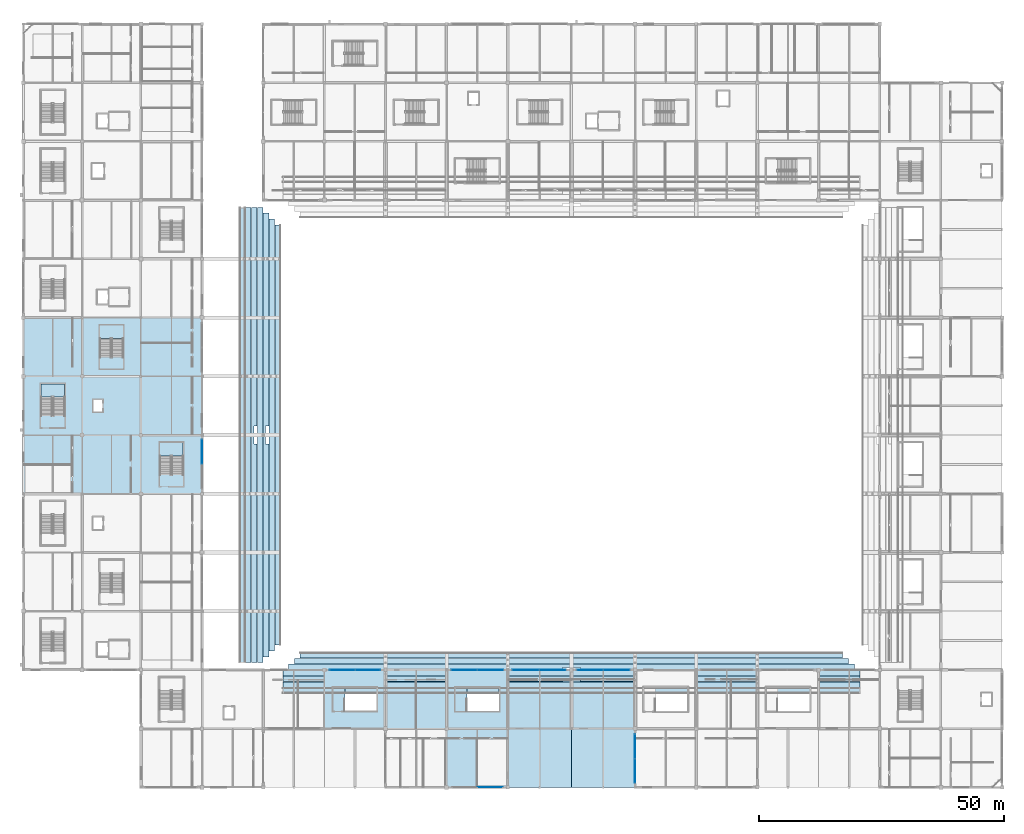
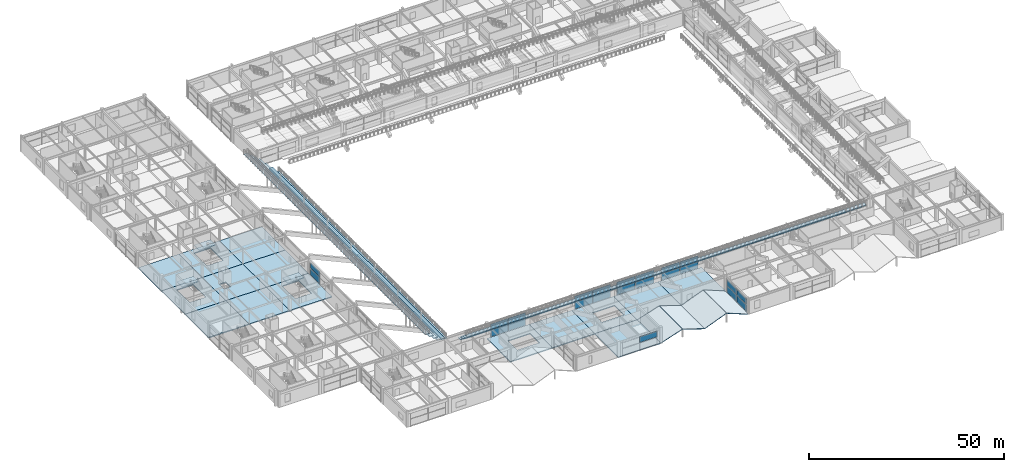
# One storey, part 70 of 128: 36 slabs, 23 plates, 10 elements without a shape of their own.
"""IFC4 building model written with IfcOpenShell, lengths in metres."""

from ifc_helpers import new_model, si_unit, direction, frame, origin, origin_2d, place, context, subcontext, project, spatial, polyline, rectangle, outline, extrude, material, layer, layer_set, type_object, element, aggregate, save


model = new_model("IFC4")

# Units and contexts
model_context = context("Model", 3, precision=1e-05, world=origin(), true_north=direction((0.0, 1.0)))
body_context = subcontext(model_context, "Body", "Model", "MODEL_VIEW")
ifc_project = project(units=[si_unit("LENGTHUNIT", "METRE"), si_unit("AREAUNIT", "SQUARE_METRE"), si_unit("VOLUMEUNIT", "CUBIC_METRE"), si_unit("PLANEANGLEUNIT", "RADIAN"), si_unit("MASSUNIT", "GRAM", prefix="KILO")], contexts=[model_context])

# Site, building, storey
site_placement = place(None, origin())
site = spatial("IfcSite", under=ifc_project, at=site_placement, CompositionType="ELEMENT")
building_placement = place(site_placement, origin())
building = spatial("IfcBuilding", under=site, at=building_placement, Name="Kazenohara Klinker Stadium", CompositionType="ELEMENT")
storey_placement = place(building_placement, frame((0.0, 0.0, 15.300048828125)))
storey = spatial("IfcBuildingStorey", under=building, at=storey_placement, Name="L03", CompositionType="ELEMENT", Elevation=15.300048828125)

# Curtain wall, plates
ifc_material_1 = material(Name="Anodised aluminium and triple glazing", Category="aluminium")
ifc_layer_1 = layer(ifc_material_1, 0.179931640625)
ifc_layer_set_1 = layer_set([ifc_layer_1], Name="Anodised aluminium and triple glazing")
curtain_wall_type_1 = type_object("IfcCurtainWallType", Name="CW-SYS-02", PredefinedType="USERDEFINED", material=ifc_layer_set_1)
curtain_wall_1_placement = place(storey_placement, origin())
curtain_wall_1 = element("IfcCurtainWall", 1, at=curtain_wall_1_placement, inside=storey, type_object=curtain_wall_type_1, Name="Unitised facade curtain wall CW02 L03 Y3-6", ObjectType="UNITISED CURTAIN WALL", PredefinedType="USERDEFINED")
ifc_material_2 = material(Name="Low-e laminated triple glazing", Category="glass")
ifc_layer_2 = layer(ifc_material_2, 0.0439453125)
ifc_layer_set_2 = layer_set([ifc_layer_2], Name="Low-e laminated triple glazing")
plate_type = type_object("IfcPlateType", Name="CW-PNL-44", PredefinedType="CURTAIN_PANEL", material=ifc_layer_set_2)
plate_1_placement = place(storey_placement, frame((36.5, 80.591796875, 0.074951171875), z_axis=(0.0, 0.0, 1.0), x_axis=(0.0, 1.0, 0.0)))
plate_1 = element("IfcPlate", 2, at=plate_1_placement, type_object=plate_type, Name="CW02 panel 2.1", PredefinedType="CURTAIN_PANEL", context=body_context, shape_type="SweptSolid", body=[
    extrude(rectangle(XDim=4.95849609375, YDim=0.0439453125, at=origin_2d()), origin(), (0.0, 0.0, 1.0), 2.12060546875),
])
plate_2_placement = place(storey_placement, frame((36.5, 80.591796875, 2.2705078125), z_axis=(0.0, 0.0, 1.0), x_axis=(0.0, 1.0, 0.0)))
plate_2 = element("IfcPlate", 3, at=plate_2_placement, type_object=plate_type, Name="CW02 panel 2.2", PredefinedType="CURTAIN_PANEL", context=body_context, shape_type="SweptSolid", body=[
    extrude(rectangle(XDim=4.95849609375, YDim=0.0439453125, at=origin_2d()), origin(), (0.0, 0.0, 1.0), 1.714599609375),
])
aggregate(curtain_wall_1, [plate_1, plate_2])

curtain_wall_2_placement = place(storey_placement, origin())
curtain_wall_2 = element("IfcCurtainWall", 4, at=curtain_wall_2_placement, inside=storey, type_object=curtain_wall_type_1, Name="Unitised facade curtain wall CW02 L03 X5-3", ObjectType="UNITISED CURTAIN WALL", PredefinedType="USERDEFINED")
plate_3_placement = place(storey_placement, frame((65.183349609375, 36.0, 0.074951171875), z_axis=(0.0, 0.0, 1.0), x_axis=(1.0, 0.0, 0.0)))
plate_3 = element("IfcPlate", 5, at=plate_3_placement, type_object=plate_type, Name="CW02 panel 1.1", PredefinedType="CURTAIN_PANEL", context=body_context, shape_type="SweptSolid", body=[
    extrude(rectangle(XDim=5.1083984375, YDim=0.0439453125, at=origin_2d()), origin(), (0.0, 0.0, 1.0), 2.18212890625),
])
plate_4_placement = place(storey_placement, frame((65.183349609375, 36.0, 2.33203125), z_axis=(0.0, 0.0, 1.0), x_axis=(1.0, 0.0, 0.0)))
plate_4 = element("IfcPlate", 6, at=plate_4_placement, type_object=plate_type, Name="CW02 panel 1.2", PredefinedType="CURTAIN_PANEL", context=body_context, shape_type="SweptSolid", body=[
    extrude(rectangle(XDim=5.1083984375, YDim=0.0439453125, at=origin_2d()), origin(), (0.0, 0.0, 1.0), 1.764892578125),
])
plate_5_placement = place(storey_placement, frame((70.36669921875, 36.0, 0.074951171875), z_axis=(0.0, 0.0, 1.0), x_axis=(1.0, 0.0, 0.0)))
plate_5 = element("IfcPlate", 7, at=plate_5_placement, type_object=plate_type, Name="CW02 panel 2.1", PredefinedType="CURTAIN_PANEL", context=body_context, shape_type="SweptSolid", body=[
    extrude(rectangle(XDim=5.1083984375, YDim=0.0439453125, at=origin_2d()), origin(), (0.0, 0.0, 1.0), 2.18212890625),
])
plate_6_placement = place(storey_placement, frame((70.36669921875, 36.0, 2.33203125), z_axis=(0.0, 0.0, 1.0), x_axis=(1.0, 0.0, 0.0)))
plate_6 = element("IfcPlate", 8, at=plate_6_placement, type_object=plate_type, Name="CW02 panel 2.2", PredefinedType="CURTAIN_PANEL", context=body_context, shape_type="SweptSolid", body=[
    extrude(rectangle(XDim=5.1083984375, YDim=0.0439453125, at=origin_2d()), origin(), (0.0, 0.0, 1.0), 1.764892578125),
])
aggregate(curtain_wall_2, [plate_3, plate_4, plate_5, plate_6])

# Curtain wall, plate
ifc_layer_3 = layer(ifc_material_1, 0.18994140625)
ifc_layer_set_3 = layer_set([ifc_layer_3], Name="Anodised aluminium and triple glazing")
curtain_wall_type_2 = type_object("IfcCurtainWallType", Name="CW-SYS-05", PredefinedType="USERDEFINED", material=ifc_layer_set_3)
curtain_wall_3_placement = place(storey_placement, origin())
curtain_wall_3 = element("IfcCurtainWall", 9, at=curtain_wall_3_placement, inside=storey, type_object=curtain_wall_type_2, Name="Unitised facade curtain wall CW05 L03 X7-1", ObjectType="UNITISED CURTAIN WALL", PredefinedType="USERDEFINED")
plate_7_placement = place(storey_placement, frame((95.36669921875, 12.0, 2.33203125), z_axis=(0.0, 0.0, 1.0), x_axis=(1.0, 0.0, 0.0)))
plate_7 = element("IfcPlate", 10, at=plate_7_placement, type_object=plate_type, Name="CW05 panel 2.2", PredefinedType="CURTAIN_PANEL", context=body_context, shape_type="SweptSolid", body=[
    extrude(rectangle(XDim=5.1083984375, YDim=0.0439453125, at=origin_2d()), origin(), (0.0, 0.0, 1.0), 1.764892578125),
])
aggregate(curtain_wall_3, [plate_7])

# Curtain wall, plates
ifc_layer_4 = layer(ifc_material_1, 0.159912109375)
ifc_layer_set_4 = layer_set([ifc_layer_4], Name="Anodised aluminium and triple glazing")
curtain_wall_type_3 = type_object("IfcCurtainWallType", Name="CW-SYS-01", PredefinedType="USERDEFINED", material=ifc_layer_set_4)
curtain_wall_4_placement = place(storey_placement, origin())
curtain_wall_4 = element("IfcCurtainWall", 11, at=curtain_wall_4_placement, inside=storey, type_object=curtain_wall_type_3, Name="Unitised facade curtain wall CW01 L03 X7-3", ObjectType="UNITISED CURTAIN WALL", PredefinedType="USERDEFINED")
plate_8_placement = place(storey_placement, frame((90.076904296875, 36.0, 0.07470703125), z_axis=(0.0, 0.0, 1.0), x_axis=(1.0, 0.0, 0.0)))
plate_8 = element("IfcPlate", 12, at=plate_8_placement, type_object=plate_type, Name="CW01 panel 1.1", PredefinedType="CURTAIN_PANEL", context=body_context, shape_type="SweptSolid", body=[
    extrude(rectangle(XDim=5.2958984375, YDim=0.0439453125, at=origin_2d()), origin(), (0.0, 0.0, 1.0), 2.175537109375),
])
plate_9_placement = place(storey_placement, frame((90.076904296875, 36.0, 2.32568359375), z_axis=(0.0, 0.0, 1.0), x_axis=(1.0, 0.0, 0.0)))
plate_9 = element("IfcPlate", 13, at=plate_9_placement, type_object=plate_type, Name="CW01 panel 1.2", PredefinedType="CURTAIN_PANEL", context=body_context, shape_type="SweptSolid", body=[
    extrude(rectangle(XDim=5.2958984375, YDim=0.0439453125, at=origin_2d()), origin(), (0.0, 0.0, 1.0), 1.759521484375),
])
plate_10_placement = place(storey_placement, frame((95.447998046875, 36.0, 0.07470703125), z_axis=(0.0, 0.0, 1.0), x_axis=(1.0, 0.0, 0.0)))
plate_10 = element("IfcPlate", 14, at=plate_10_placement, type_object=plate_type, Name="CW01 panel 2.1", PredefinedType="CURTAIN_PANEL", context=body_context, shape_type="SweptSolid", body=[
    extrude(rectangle(XDim=5.2958984375, YDim=0.0439453125, at=origin_2d()), origin(), (0.0, 0.0, 1.0), 2.175537109375),
])
plate_11_placement = place(storey_placement, frame((95.447998046875, 36.0, 2.32568359375), z_axis=(0.0, 0.0, 1.0), x_axis=(1.0, 0.0, 0.0)))
plate_11 = element("IfcPlate", 15, at=plate_11_placement, type_object=plate_type, Name="CW01 panel 2.2", PredefinedType="CURTAIN_PANEL", context=body_context, shape_type="SweptSolid", body=[
    extrude(rectangle(XDim=5.2958984375, YDim=0.0439453125, at=origin_2d()), origin(), (0.0, 0.0, 1.0), 1.759521484375),
])
aggregate(curtain_wall_4, [plate_8, plate_9, plate_10, plate_11])

ifc_layer_5 = layer(ifc_material_1, 0.199951171875)
ifc_layer_set_5 = layer_set([ifc_layer_5], Name="Anodised aluminium and triple glazing")
curtain_wall_type_4 = type_object("IfcCurtainWallType", Name="CW-SYS-03", PredefinedType="USERDEFINED", material=ifc_layer_set_5)
curtain_wall_5_placement = place(storey_placement, origin())
curtain_wall_5 = element("IfcCurtainWall", 16, at=curtain_wall_5_placement, inside=storey, type_object=curtain_wall_type_4, Name="Unitised facade curtain wall CW03 L03 X8-3", ObjectType="UNITISED CURTAIN WALL", PredefinedType="USERDEFINED")
plate_12_placement = place(storey_placement, frame((102.626953125, 36.0, 0.074951171875), z_axis=(0.0, 0.0, 1.0), x_axis=(1.0, 0.0, 0.0)))
plate_12 = element("IfcPlate", 17, at=plate_12_placement, type_object=plate_type, Name="CW03 panel 1.1", PredefinedType="CURTAIN_PANEL", context=body_context, shape_type="SweptSolid", body=[
    extrude(rectangle(XDim=5.446044921875, YDim=0.0439453125, at=origin_2d()), origin(), (0.0, 0.0, 1.0), 2.18212890625),
])
plate_13_placement = place(storey_placement, frame((102.626953125, 36.0, 2.33203125), z_axis=(0.0, 0.0, 1.0), x_axis=(1.0, 0.0, 0.0)))
plate_13 = element("IfcPlate", 18, at=plate_13_placement, type_object=plate_type, Name="CW03 panel 1.2", PredefinedType="CURTAIN_PANEL", context=body_context, shape_type="SweptSolid", body=[
    extrude(rectangle(XDim=5.446044921875, YDim=0.0439453125, at=origin_2d()), origin(), (0.0, 0.0, 1.0), 1.764892578125),
])
plate_14_placement = place(storey_placement, frame((108.14794921875, 36.0, 0.074951171875), z_axis=(0.0, 0.0, 1.0), x_axis=(1.0, 0.0, 0.0)))
plate_14 = element("IfcPlate", 19, at=plate_14_placement, type_object=plate_type, Name="CW03 panel 2.1", PredefinedType="CURTAIN_PANEL", context=body_context, shape_type="SweptSolid", body=[
    extrude(rectangle(XDim=5.446044921875, YDim=0.0439453125, at=origin_2d()), origin(), (0.0, 0.0, 1.0), 2.18212890625),
])
plate_15_placement = place(storey_placement, frame((108.14794921875, 36.0, 2.33203125), z_axis=(0.0, 0.0, 1.0), x_axis=(1.0, 0.0, 0.0)))
plate_15 = element("IfcPlate", 20, at=plate_15_placement, type_object=plate_type, Name="CW03 panel 2.2", PredefinedType="CURTAIN_PANEL", context=body_context, shape_type="SweptSolid", body=[
    extrude(rectangle(XDim=5.446044921875, YDim=0.0439453125, at=origin_2d()), origin(), (0.0, 0.0, 1.0), 1.764892578125),
])
aggregate(curtain_wall_5, [plate_12, plate_13, plate_14, plate_15])

curtain_wall_6_placement = place(storey_placement, origin())
curtain_wall_6 = element("IfcCurtainWall", 21, at=curtain_wall_6_placement, inside=storey, type_object=curtain_wall_type_2, Name="Unitised facade curtain wall CW05 L03 X9-3", ObjectType="UNITISED CURTAIN WALL", PredefinedType="USERDEFINED")
plate_16_placement = place(storey_placement, frame((115.808349609375, 36.0, 0.074951171875), z_axis=(0.0, 0.0, 1.0), x_axis=(1.0, 0.0, 0.0)))
plate_16 = element("IfcPlate", 22, at=plate_16_placement, type_object=plate_type, Name="CW05 panel 1.1", PredefinedType="CURTAIN_PANEL", context=body_context, shape_type="SweptSolid", body=[
    extrude(rectangle(XDim=5.3583984375, YDim=0.0439453125, at=origin_2d()), origin(), (0.0, 0.0, 1.0), 2.12060546875),
])
plate_17_placement = place(storey_placement, frame((115.808349609375, 36.0, 2.2705078125), z_axis=(0.0, 0.0, 1.0), x_axis=(1.0, 0.0, 0.0)))
plate_17 = element("IfcPlate", 23, at=plate_17_placement, type_object=plate_type, Name="CW05 panel 1.2", PredefinedType="CURTAIN_PANEL", context=body_context, shape_type="SweptSolid", body=[
    extrude(rectangle(XDim=5.3583984375, YDim=0.0439453125, at=origin_2d()), origin(), (0.0, 0.0, 1.0), 1.714599609375),
])
plate_18_placement = place(storey_placement, frame((121.24169921875, 36.0, 0.074951171875), z_axis=(0.0, 0.0, 1.0), x_axis=(1.0, 0.0, 0.0)))
plate_18 = element("IfcPlate", 24, at=plate_18_placement, type_object=plate_type, Name="CW05 panel 2.1", PredefinedType="CURTAIN_PANEL", context=body_context, shape_type="SweptSolid", body=[
    extrude(rectangle(XDim=5.3583984375, YDim=0.0439453125, at=origin_2d()), origin(), (0.0, 0.0, 1.0), 2.12060546875),
])
plate_19_placement = place(storey_placement, frame((121.24169921875, 36.0, 2.2705078125), z_axis=(0.0, 0.0, 1.0), x_axis=(1.0, 0.0, 0.0)))
plate_19 = element("IfcPlate", 25, at=plate_19_placement, type_object=plate_type, Name="CW05 panel 2.2", PredefinedType="CURTAIN_PANEL", context=body_context, shape_type="SweptSolid", body=[
    extrude(rectangle(XDim=5.3583984375, YDim=0.0439453125, at=origin_2d()), origin(), (0.0, 0.0, 1.0), 1.714599609375),
])
aggregate(curtain_wall_6, [plate_16, plate_17, plate_18, plate_19])

curtain_wall_7_placement = place(storey_placement, origin())
curtain_wall_7 = element("IfcCurtainWall", 26, at=curtain_wall_7_placement, inside=storey, type_object=curtain_wall_type_3, Name="Unitised facade curtain wall CW01 L03 Y10-1", ObjectType="UNITISED CURTAIN WALL", PredefinedType="USERDEFINED")
plate_20_placement = place(storey_placement, frame((125.0, 15.376953125, 0.074951171875), z_axis=(0.0, 0.0, 1.0), x_axis=(0.0, 1.0, 0.0)))
plate_20 = element("IfcPlate", 27, at=plate_20_placement, type_object=plate_type, Name="CW01 panel 1.1", PredefinedType="CURTAIN_PANEL", context=body_context, shape_type="SweptSolid", body=[
    extrude(rectangle(XDim=4.946044921875, YDim=0.0439453125, at=origin_2d()), origin(), (0.0, 0.0, 1.0), 2.18212890625),
])
plate_21_placement = place(storey_placement, frame((125.0, 15.376953125, 2.33203125), z_axis=(0.0, 0.0, 1.0), x_axis=(0.0, 1.0, 0.0)))
plate_21 = element("IfcPlate", 28, at=plate_21_placement, type_object=plate_type, Name="CW01 panel 1.2", PredefinedType="CURTAIN_PANEL", context=body_context, shape_type="SweptSolid", body=[
    extrude(rectangle(XDim=4.946044921875, YDim=0.0439453125, at=origin_2d()), origin(), (0.0, 0.0, 1.0), 1.764892578125),
])
plate_22_placement = place(storey_placement, frame((125.0, 20.39794921875, 0.074951171875), z_axis=(0.0, 0.0, 1.0), x_axis=(0.0, 1.0, 0.0)))
plate_22 = element("IfcPlate", 29, at=plate_22_placement, type_object=plate_type, Name="CW01 panel 2.1", PredefinedType="CURTAIN_PANEL", context=body_context, shape_type="SweptSolid", body=[
    extrude(rectangle(XDim=4.946044921875, YDim=0.0439453125, at=origin_2d()), origin(), (0.0, 0.0, 1.0), 2.18212890625),
])
plate_23_placement = place(storey_placement, frame((125.0, 20.39794921875, 2.33203125), z_axis=(0.0, 0.0, 1.0), x_axis=(0.0, 1.0, 0.0)))
plate_23 = element("IfcPlate", 30, at=plate_23_placement, type_object=plate_type, Name="CW01 panel 2.2", PredefinedType="CURTAIN_PANEL", context=body_context, shape_type="SweptSolid", body=[
    extrude(rectangle(XDim=4.946044921875, YDim=0.0439453125, at=origin_2d()), origin(), (0.0, 0.0, 1.0), 1.764892578125),
])
aggregate(curtain_wall_7, [plate_20, plate_21, plate_22, plate_23])

# Slabs
ifc_material_3 = material(Name="Concrete C40/50", Category="concrete")
ifc_layer_6 = layer(ifc_material_3, 0.280029296875)
ifc_layer_set_6 = layer_set([ifc_layer_6], Name="Concrete C40/50")
slab_type_1 = type_object("IfcSlabType", Name="SLB-FLR-280", PredefinedType="FLOOR", material=ifc_layer_set_6)
slab_1_placement = place(storey_placement, frame((0.0, 0.0, -0.280029296875)))
element("IfcSlab", 31, at=slab_1_placement, inside=storey, type_object=slab_type_1, Name="Floor slab FS04 L03 1/G", PredefinedType="FLOOR", context=body_context, shape_type="SweptSolid", body=[
    extrude(outline(polyline([(0.0, 72.0), (12.0, 72.0), (12.0, 84.0), (0.0, 84.0), (0.0, 72.0)])), origin(), (0.0, 0.0, 1.0), 0.280029296875),
])
slab_2_placement = place(storey_placement, frame((0.0, 0.0, -0.280029296875)))
element("IfcSlab", 32, at=slab_2_placement, inside=storey, type_object=slab_type_1, Name="Floor slab FS04 L03 1/H", PredefinedType="FLOOR", context=body_context, shape_type="SweptSolid", body=[
    extrude(outline(polyline([(0.0, 84.0), (12.0, 84.0), (12.0, 96.0), (0.0, 96.0), (0.0, 84.0)]), holes=[polyline([(8.429931640625, 87.949951171875), (8.429931640625, 94.4599609375), (3.570068359375, 94.4599609375), (3.570068359375, 87.949951171875), (8.429931640625, 87.949951171875)])]), origin(), (0.0, 0.0, 1.0), 0.280029296875),
])
slab_3_placement = place(storey_placement, frame((0.0, 0.0, -0.280029296875)))
element("IfcSlab", 33, at=slab_3_placement, inside=storey, type_object=slab_type_1, Name="Floor slab FS04 L03 1/J", PredefinedType="FLOOR", context=body_context, shape_type="SweptSolid", body=[
    extrude(outline(polyline([(0.0, 96.0), (12.0, 96.0), (12.0, 108.0), (0.0, 108.0), (0.0, 96.0)])), origin(), (0.0, 0.0, 1.0), 0.280029296875),
])
slab_4_placement = place(storey_placement, frame((0.0, 0.0, -0.280029296875)))
element("IfcSlab", 34, at=slab_4_placement, inside=storey, type_object=slab_type_1, Name="Floor slab FS04 L03 2/G", PredefinedType="FLOOR", context=body_context, shape_type="SweptSolid", body=[
    extrude(outline(polyline([(12.0, 72.0), (24.0, 72.0), (24.0, 84.0), (12.0, 84.0), (12.0, 72.0)])), origin(), (0.0, 0.0, 1.0), 0.280029296875),
])
slab_5_placement = place(storey_placement, frame((0.0, 0.0, -0.280029296875)))
element("IfcSlab", 35, at=slab_5_placement, inside=storey, type_object=slab_type_1, Name="Floor slab FS04 L03 2/H", PredefinedType="FLOOR", context=body_context, shape_type="SweptSolid", body=[
    extrude(outline(polyline([(12.0, 84.0), (24.0, 84.0), (24.0, 96.0), (12.0, 96.0), (12.0, 84.0)]), holes=[polyline([(14.25, 88.800048828125), (16.14990234375, 88.800048828125), (16.14990234375, 91.199951171875), (14.25, 91.199951171875), (14.25, 88.800048828125)])]), origin(), (0.0, 0.0, 1.0), 0.280029296875),
])
slab_6_placement = place(storey_placement, frame((0.0, 0.0, -0.280029296875)))
element("IfcSlab", 36, at=slab_6_placement, inside=storey, type_object=slab_type_1, Name="Floor slab FS04 L03 2/J", PredefinedType="FLOOR", context=body_context, shape_type="SweptSolid", body=[
    extrude(outline(polyline([(12.0, 96.0), (24.0, 96.0), (24.0, 108.0), (12.0, 108.0), (12.0, 96.0)]), holes=[polyline([(20.409912109375, 99.929931640625), (20.409912109375, 106.4599609375), (15.590087890625, 106.4599609375), (15.590087890625, 99.929931640625), (20.409912109375, 99.929931640625)])]), origin(), (0.0, 0.0, 1.0), 0.280029296875),
])
slab_7_placement = place(storey_placement, frame((0.0, 0.0, -0.280029296875)))
element("IfcSlab", 37, at=slab_7_placement, inside=storey, type_object=slab_type_1, Name="Floor slab FS04 L03 3/G", PredefinedType="FLOOR", context=body_context, shape_type="SweptSolid", body=[
    extrude(outline(polyline([(24.0, 72.0), (36.5, 72.0), (36.5, 84.0), (24.0, 84.0), (24.0, 72.0)]), holes=[polyline([(32.64990234375, 75.919921875), (32.64990234375, 82.4599609375), (27.85009765625, 82.4599609375), (27.85009765625, 75.919921875), (32.64990234375, 75.919921875)])]), origin(), (0.0, 0.0, 1.0), 0.280029296875),
])
slab_8_placement = place(storey_placement, frame((0.0, 0.0, -0.280029296875)))
element("IfcSlab", 38, at=slab_8_placement, inside=storey, type_object=slab_type_1, Name="Floor slab FS04 L03 3/H", PredefinedType="FLOOR", context=body_context, shape_type="SweptSolid", body=[
    extrude(outline(polyline([(24.0, 84.0), (36.5, 84.0), (36.5, 96.0), (24.0, 96.0), (24.0, 84.0)])), origin(), (0.0, 0.0, 1.0), 0.280029296875),
])
slab_9_placement = place(storey_placement, frame((0.0, 0.0, -0.280029296875)))
element("IfcSlab", 39, at=slab_9_placement, inside=storey, type_object=slab_type_1, Name="Floor slab FS04 L03 3/J", PredefinedType="FLOOR", context=body_context, shape_type="SweptSolid", body=[
    extrude(outline(polyline([(24.0, 96.0), (36.5, 96.0), (36.5, 108.0), (24.0, 108.0), (24.0, 96.0)])), origin(), (0.0, 0.0, 1.0), 0.280029296875),
])
slab_10_placement = place(storey_placement, frame((0.0, 0.0, -0.280029296875)))
element("IfcSlab", 40, at=slab_10_placement, inside=storey, type_object=slab_type_1, Name="Floor slab FS04 L03 6/C", PredefinedType="FLOOR", context=body_context, shape_type="SweptSolid", body=[
    extrude(outline(polyline([(61.5, 24.0), (74.0, 24.0), (74.0, 36.0), (61.5, 36.0), (61.5, 24.0)]), holes=[polyline([(65.669921875, 27.60009765625), (72.2099609375, 27.60009765625), (72.2099609375, 32.39990234375), (65.669921875, 32.39990234375), (65.669921875, 27.60009765625)])]), origin(), (0.0, 0.0, 1.0), 0.280029296875),
])
slab_11_placement = place(storey_placement, frame((0.0, 0.0, -0.280029296875)))
element("IfcSlab", 41, at=slab_11_placement, inside=storey, type_object=slab_type_1, Name="Floor slab FS04 L03 7/C", PredefinedType="FLOOR", context=body_context, shape_type="SweptSolid", body=[
    extrude(outline(polyline([(74.0, 24.0), (86.5, 24.0), (86.5, 36.0), (74.0, 36.0), (74.0, 24.0)])), origin(), (0.0, 0.0, 1.0), 0.280029296875),
])
slab_12_placement = place(storey_placement, frame((0.0, 0.0, -0.280029296875)))
element("IfcSlab", 42, at=slab_12_placement, inside=storey, type_object=slab_type_1, Name="Floor slab FS04 L03 8/B", PredefinedType="FLOOR", context=body_context, shape_type="SweptSolid", body=[
    extrude(outline(polyline([(86.5, 12.0), (99.0, 12.0), (99.0, 24.0), (86.5, 24.0), (86.5, 12.0)])), origin(), (0.0, 0.0, 1.0), 0.280029296875),
])
slab_13_placement = place(storey_placement, frame((0.0, 0.0, -0.280029296875)))
element("IfcSlab", 43, at=slab_13_placement, inside=storey, type_object=slab_type_1, Name="Floor slab FS04 L03 8/C", PredefinedType="FLOOR", context=body_context, shape_type="SweptSolid", body=[
    extrude(outline(polyline([(86.5, 24.0), (99.0, 24.0), (99.0, 36.0), (86.5, 36.0), (86.5, 24.0)]), holes=[polyline([(90.679931640625, 27.590087890625), (97.2099609375, 27.590087890625), (97.2099609375, 32.409912109375), (90.679931640625, 32.409912109375), (90.679931640625, 27.590087890625)])]), origin(), (0.0, 0.0, 1.0), 0.280029296875),
])
slab_14_placement = place(storey_placement, frame((0.0, 0.0, -0.280029296875)))
element("IfcSlab", 44, at=slab_14_placement, inside=storey, type_object=slab_type_1, Name="Floor slab FS04 L03 9/C", PredefinedType="FLOOR", context=body_context, shape_type="SweptSolid", body=[
    extrude(outline(polyline([(99.0, 24.0), (112.0, 24.0), (112.0, 36.0), (99.0, 36.0), (99.0, 24.0)])), origin(), (0.0, 0.0, 1.0), 0.280029296875),
])
slab_15_placement = place(storey_placement, frame((0.0, 0.0, -0.280029296875)))
element("IfcSlab", 45, at=slab_15_placement, inside=storey, type_object=slab_type_1, Name="Floor slab FS04 L03 10/C", PredefinedType="FLOOR", context=body_context, shape_type="SweptSolid", body=[
    extrude(outline(polyline([(112.0, 24.0), (125.0, 24.0), (125.0, 36.0), (112.0, 36.0), (112.0, 24.0)])), origin(), (0.0, 0.0, 1.0), 0.280029296875),
])

# Stair, slab
stair_type_1 = type_object("IfcStairType", Name="STR-DL-2330", PredefinedType="HALF_TURN_STAIR", material=ifc_material_3)
stair_1_placement = place(storey_placement, origin())
stair_1 = element("IfcStair", 46, at=stair_1_placement, inside=storey, type_object=stair_type_1, Name="L03 Enclosed escape stair ST03", PredefinedType="HALF_TURN_STAIR")
ifc_layer_7 = layer(ifc_material_3, 0.199951171875)
ifc_layer_set_7 = layer_set([ifc_layer_7], Name="Concrete C40/50")
slab_type_2 = type_object("IfcSlabType", Name="SLB-LND-200", PredefinedType="LANDING", material=ifc_layer_set_7)
slab_16_placement = place(storey_placement, frame((0.0, 0.0, 2.349853515625)))
slab_16 = element("IfcSlab", 47, at=slab_16_placement, type_object=slab_type_2, Name="ST03 landing 1", PredefinedType="LANDING", context=body_context, shape_type="SweptSolid", body=[
    extrude(outline(polyline([(8.429931640625, 91.7900390625), (8.429931640625, 94.4599609375), (3.570068359375, 94.4599609375), (3.570068359375, 91.7900390625), (8.429931640625, 91.7900390625)])), origin(), (0.0, 0.0, 1.0), 0.2001953125),
])
aggregate(stair_1, [slab_16])

stair_type_2 = type_object("IfcStairType", Name="STR-DL-2310", PredefinedType="HALF_TURN_STAIR", material=ifc_material_3)
stair_2_placement = place(storey_placement, origin())
stair_2 = element("IfcStair", 48, at=stair_2_placement, inside=storey, type_object=stair_type_2, Name="L03 Enclosed escape stair ST14", PredefinedType="HALF_TURN_STAIR")
slab_17_placement = place(storey_placement, frame((0.0, 0.0, 2.349853515625)))
slab_17 = element("IfcSlab", 49, at=slab_17_placement, type_object=slab_type_2, Name="ST14 landing 1", PredefinedType="LANDING", context=body_context, shape_type="SweptSolid", body=[
    extrude(outline(polyline([(20.409912109375, 103.77001953125), (20.409912109375, 106.4599609375), (15.590087890625, 106.4599609375), (15.590087890625, 103.77001953125), (20.409912109375, 103.77001953125)])), origin(), (0.0, 0.0, 1.0), 0.2001953125),
])
aggregate(stair_2, [slab_17])

stair_type_3 = type_object("IfcStairType", Name="STR-DL-2300", PredefinedType="HALF_TURN_STAIR", material=ifc_material_3)
stair_3_placement = place(storey_placement, origin())
stair_3 = element("IfcStair", 50, at=stair_3_placement, inside=storey, type_object=stair_type_3, Name="L03 Enclosed escape stair ST17", PredefinedType="HALF_TURN_STAIR")
slab_18_placement = place(storey_placement, frame((0.0, 0.0, 2.349853515625)))
slab_18 = element("IfcSlab", 51, at=slab_18_placement, type_object=slab_type_2, Name="ST17 landing 1", PredefinedType="LANDING", context=body_context, shape_type="SweptSolid", body=[
    extrude(outline(polyline([(32.64990234375, 79.760009765625), (32.64990234375, 82.4599609375), (27.85009765625, 82.4599609375), (27.85009765625, 79.760009765625), (32.64990234375, 79.760009765625)])), origin(), (0.0, 0.0, 1.0), 0.2001953125),
])
aggregate(stair_3, [slab_18])

# Slabs
ifc_material_4 = material(Name="Steel S355", Category="steel")
ifc_layer_8 = layer(ifc_material_4, 0.169921875)
ifc_layer_set_8 = layer_set([ifc_layer_8], Name="Steel S355")
slab_type_3 = type_object("IfcSlabType", Name="SLB-ROOF-170", PredefinedType="ROOF", material=ifc_layer_set_8)
for number, where, z_axis, x_axis, name in (
    (52, (99.0, 12.0, -0.080078125), (-0.31624931125, 0.0, 0.948676116034), (0.948676116034, 0.0, 0.31624931125), "Sloped snow-shedding wing roof RS02 L03 9/B A"),
    (53, (105.550048828125, 12.0, 2.070068359375), (0.31624931125, 0.0, 0.948676116034), (0.948676116034, 0.0, -0.31624931125), "Sloped snow-shedding wing roof RS02 L03 9/B B"),
):
    element("IfcSlab", number, at=place(storey_placement, frame(where, z_axis=z_axis, x_axis=x_axis)), inside=storey, type_object=slab_type_3, Name=name, PredefinedType="ROOF", context=body_context, shape_type="SweptSolid", body=[
        extrude(outline(polyline([(0.0, 0.0), (6.798896971115378, 0.0), (6.798896971115378, 12.0), (0.0, 12.0), (0.0, 0.0)])), origin(), (0.0, 0.0, -1.0), 0.169921875),
    ])
for number, where, z_axis, x_axis, name in (
    (54, (112.0, 12.0, -0.080078125), (-0.36766738485, 0.0, 0.929957361451), (0.929957361451, 0.0, 0.36766738485), "Sloped snow-shedding wing roof RS02 L03 10/B A"),
    (55, (118.550048828125, 12.0, 2.469970703125), (0.36766738485, 0.0, 0.929957361451), (0.929957361451, 0.0, -0.36766738485), "Sloped snow-shedding wing roof RS02 L03 10/B B"),
):
    element("IfcSlab", number, at=place(storey_placement, frame(where, z_axis=z_axis, x_axis=x_axis)), inside=storey, type_object=slab_type_3, Name=name, PredefinedType="ROOF", context=body_context, shape_type="SweptSolid", body=[
        extrude(outline(polyline([(0.0, 0.0), (6.935749357163461, 0.0), (6.935749357163461, 12.0), (0.0, 12.0), (0.0, 0.0)])), origin(), (0.0, 0.0, -1.0), 0.169921875),
    ])
ifc_material_5 = material(Name="Precast concrete C50/60", Category="concrete")
ifc_layer_9 = layer(ifc_material_5, 0.22998046875)
ifc_layer_set_9 = layer_set([ifc_layer_9], Name="Precast concrete C50/60")
slab_type_4 = type_object("IfcSlabType", Name="SLB-TIER-230", PredefinedType="USERDEFINED", material=ifc_layer_set_9)
slab_19_placement = place(storey_placement, frame((0.0, 0.0, 6.119873046875)))
element("IfcSlab", 56, at=slab_19_placement, inside=storey, type_object=slab_type_4, Name="Stand upper tier W-01", ObjectType="SEATING TIER", PredefinedType="USERDEFINED", context=body_context, shape_type="SweptSolid", body=[
    extrude(outline(polyline([(44.199951171875, 37.5), (45.360107421875, 37.5), (45.360107421875, 130.5), (44.199951171875, 130.5), (44.199951171875, 37.5)])), origin(), (0.0, 0.0, 1.0), 0.22998046875),
])
slab_20_placement = place(storey_placement, frame((0.0, 0.0, 5.111572265625)))
element("IfcSlab", 57, at=slab_20_placement, inside=storey, type_object=slab_type_4, Name="Stand upper tier W-02", ObjectType="SEATING TIER", PredefinedType="USERDEFINED", context=body_context, shape_type="SweptSolid", body=[
    extrude(outline(polyline([(45.39990234375, 37.5), (46.56005859375, 37.5), (46.56005859375, 130.5), (45.39990234375, 130.5), (45.39990234375, 37.5)])), origin(), (0.0, 0.0, 1.0), 0.22998046875),
])
slab_21_placement = place(storey_placement, frame((0.0, 0.0, 4.103271484375)))
element("IfcSlab", 58, at=slab_21_placement, inside=storey, type_object=slab_type_4, Name="Stand upper tier W-03", ObjectType="SEATING TIER", PredefinedType="USERDEFINED", context=body_context, shape_type="SweptSolid", body=[
    extrude(outline(polyline([(46.60009765625, 37.5), (47.760009765625, 37.5), (47.760009765625, 82.199951171875), (47.1220703125, 82.199951171875), (47.1220703125, 85.800048828125), (47.760009765625, 85.800048828125), (47.760009765625, 130.5), (46.60009765625, 130.5), (46.60009765625, 37.5)])), origin(), (0.0, 0.0, 1.0), 0.22998046875),
])
slab_22_placement = place(storey_placement, frame((0.0, 0.0, 3.094970703125)))
element("IfcSlab", 59, at=slab_22_placement, inside=storey, type_object=slab_type_4, Name="Stand upper tier W-04", ObjectType="SEATING TIER", PredefinedType="USERDEFINED", context=body_context, shape_type="SweptSolid", body=[
    extrude(outline(polyline([(47.800048828125, 37.5), (48.9599609375, 37.5), (48.9599609375, 130.5), (47.800048828125, 130.5), (47.800048828125, 37.5)])), origin(), (0.0, 0.0, 1.0), 0.22998046875),
])
slab_23_placement = place(storey_placement, frame((0.0, 0.0, 2.086669921875)))
element("IfcSlab", 60, at=slab_23_placement, inside=storey, type_object=slab_type_4, Name="Stand upper tier W-05", ObjectType="SEATING TIER", PredefinedType="USERDEFINED", context=body_context, shape_type="SweptSolid", body=[
    extrude(outline(polyline([(49.0, 38.659912109375), (50.159912109375, 38.659912109375), (50.159912109375, 82.199951171875), (49.52197265625, 82.199951171875), (49.52197265625, 85.800048828125), (50.159912109375, 85.800048828125), (50.159912109375, 129.340087890625), (49.0, 129.340087890625), (49.0, 38.659912109375)])), origin(), (0.0, 0.0, 1.0), 0.22998046875),
])
slab_24_placement = place(storey_placement, frame((0.0, 0.0, 1.078369140625)))
element("IfcSlab", 61, at=slab_24_placement, inside=storey, type_object=slab_type_4, Name="Stand upper tier W-06", ObjectType="SEATING TIER", PredefinedType="USERDEFINED", context=body_context, shape_type="SweptSolid", body=[
    extrude(outline(polyline([(50.199951171875, 39.860107421875), (51.360107421875, 39.860107421875), (51.360107421875, 128.139892578125), (50.199951171875, 128.139892578125), (50.199951171875, 39.860107421875)])), origin(), (0.0, 0.0, 1.0), 0.22998046875),
])
slab_25_placement = place(storey_placement, frame((0.0, 0.0, 0.070068359375)))
element("IfcSlab", 62, at=slab_25_placement, inside=storey, type_object=slab_type_4, Name="Stand upper tier W-07", ObjectType="SEATING TIER", PredefinedType="USERDEFINED", context=body_context, shape_type="SweptSolid", body=[
    extrude(outline(polyline([(51.39990234375, 41.06005859375), (52.56005859375, 41.06005859375), (52.56005859375, 126.93994140625), (51.39990234375, 126.93994140625), (51.39990234375, 41.06005859375)])), origin(), (0.0, 0.0, 1.0), 0.22998046875),
])
slab_26_placement = place(storey_placement, frame((0.0, 0.0, 6.119873046875)))
element("IfcSlab", 63, at=slab_26_placement, inside=storey, type_object=slab_type_4, Name="Stand upper tier S-01", ObjectType="SEATING TIER", PredefinedType="USERDEFINED", context=body_context, shape_type="SweptSolid", body=[
    extrude(outline(polyline([(53.0, 31.199951171875), (171.0, 31.199951171875), (171.0, 32.360107421875), (53.0, 32.360107421875), (53.0, 31.199951171875)])), origin(), (0.0, 0.0, 1.0), 0.22998046875),
])
slab_27_placement = place(storey_placement, frame((0.0, 0.0, 5.111572265625)))
element("IfcSlab", 64, at=slab_27_placement, inside=storey, type_object=slab_type_4, Name="Stand upper tier S-02", ObjectType="SEATING TIER", PredefinedType="USERDEFINED", context=body_context, shape_type="SweptSolid", body=[
    extrude(outline(polyline([(53.0, 32.39990234375), (171.0, 32.39990234375), (171.0, 33.56005859375), (53.0, 33.56005859375), (53.0, 32.39990234375)])), origin(), (0.0, 0.0, 1.0), 0.22998046875),
])
slab_28_placement = place(storey_placement, frame((0.0, 0.0, 4.103271484375)))
element("IfcSlab", 65, at=slab_28_placement, inside=storey, type_object=slab_type_4, Name="Stand upper tier S-03", ObjectType="SEATING TIER", PredefinedType="USERDEFINED", context=body_context, shape_type="SweptSolid", body=[
    extrude(outline(polyline([(53.0, 33.60009765625), (110.199951171875, 33.60009765625), (110.199951171875, 34.1220703125), (113.800048828125, 34.1220703125), (113.800048828125, 33.60009765625), (171.0, 33.60009765625), (171.0, 34.760009765625), (53.0, 34.760009765625), (53.0, 33.60009765625)])), origin(), (0.0, 0.0, 1.0), 0.22998046875),
])
slab_29_placement = place(storey_placement, frame((0.0, 0.0, 3.094970703125)))
element("IfcSlab", 66, at=slab_29_placement, inside=storey, type_object=slab_type_4, Name="Stand upper tier S-04", ObjectType="SEATING TIER", PredefinedType="USERDEFINED", context=body_context, shape_type="SweptSolid", body=[
    extrude(outline(polyline([(53.0, 34.800048828125), (171.0, 34.800048828125), (171.0, 35.9599609375), (53.0, 35.9599609375), (53.0, 34.800048828125)])), origin(), (0.0, 0.0, 1.0), 0.22998046875),
])
slab_30_placement = place(storey_placement, frame((0.0, 0.0, 2.086669921875)))
element("IfcSlab", 67, at=slab_30_placement, inside=storey, type_object=slab_type_4, Name="Stand upper tier S-05", ObjectType="SEATING TIER", PredefinedType="USERDEFINED", context=body_context, shape_type="SweptSolid", body=[
    extrude(outline(polyline([(54.159912109375, 36.0), (110.199951171875, 36.0), (110.199951171875, 36.52197265625), (113.800048828125, 36.52197265625), (113.800048828125, 36.0), (169.840087890625, 36.0), (169.840087890625, 37.159912109375), (54.159912109375, 37.159912109375), (54.159912109375, 36.0)])), origin(), (0.0, 0.0, 1.0), 0.22998046875),
])
slab_31_placement = place(storey_placement, frame((0.0, 0.0, 1.078369140625)))
element("IfcSlab", 68, at=slab_31_placement, inside=storey, type_object=slab_type_4, Name="Stand upper tier S-06", ObjectType="SEATING TIER", PredefinedType="USERDEFINED", context=body_context, shape_type="SweptSolid", body=[
    extrude(outline(polyline([(55.360107421875, 37.199951171875), (168.639892578125, 37.199951171875), (168.639892578125, 38.360107421875), (55.360107421875, 38.360107421875), (55.360107421875, 37.199951171875)])), origin(), (0.0, 0.0, 1.0), 0.22998046875),
])
slab_32_placement = place(storey_placement, frame((0.0, 0.0, 0.070068359375)))
element("IfcSlab", 69, at=slab_32_placement, inside=storey, type_object=slab_type_4, Name="Stand upper tier S-07", ObjectType="SEATING TIER", PredefinedType="USERDEFINED", context=body_context, shape_type="SweptSolid", body=[
    extrude(outline(polyline([(56.56005859375, 38.39990234375), (167.43994140625, 38.39990234375), (167.43994140625, 39.56005859375), (56.56005859375, 39.56005859375), (56.56005859375, 38.39990234375)])), origin(), (0.0, 0.0, 1.0), 0.22998046875),
])

save(model, "model.ifc")
